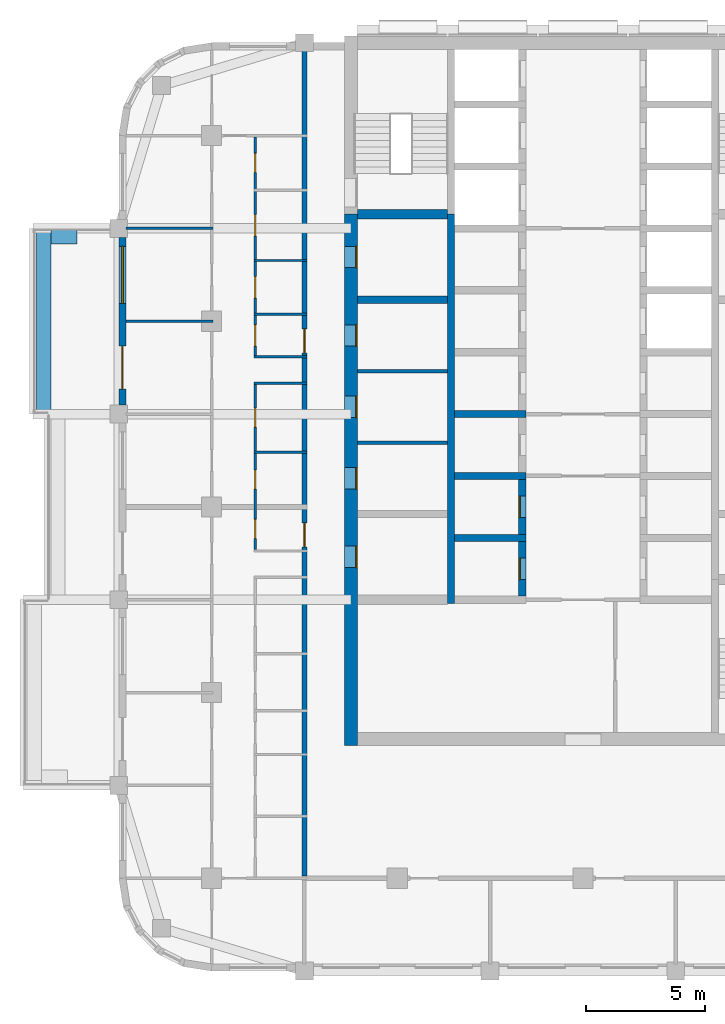
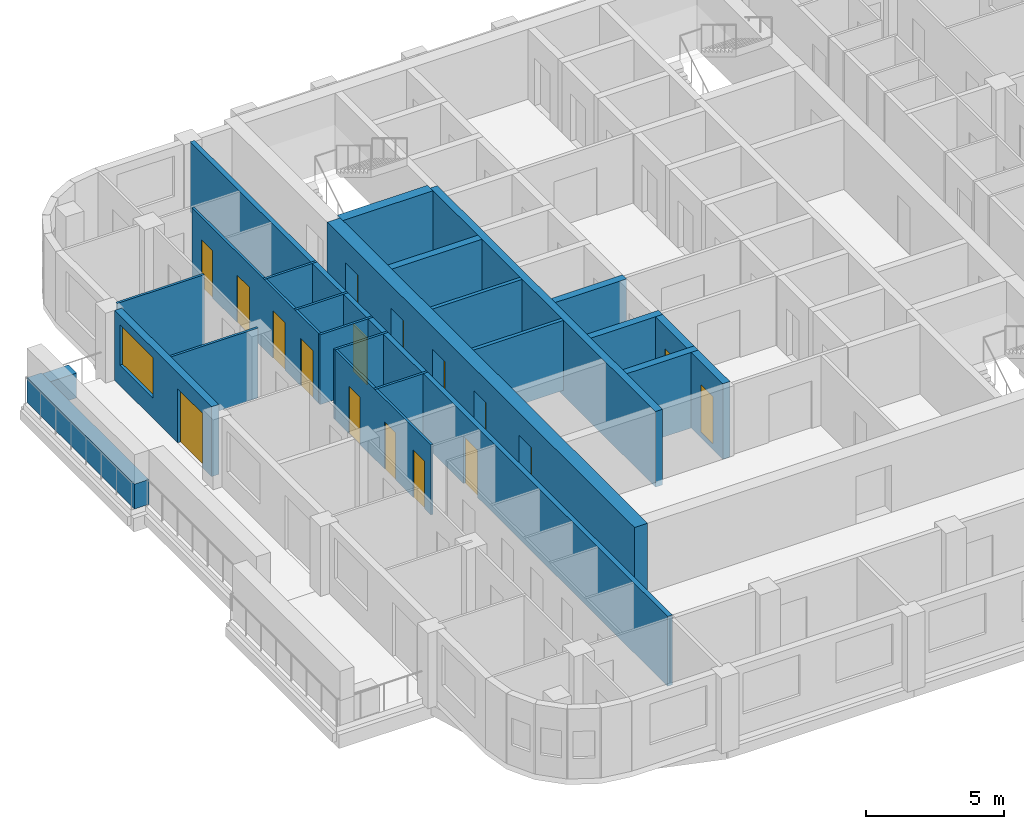
# One storey, part 4 of 13: 24 walls, 17 doors, 1 window, 18 openings.
"""IFC4 building model written with IfcOpenShell, lengths in metres."""

from ifc_helpers import new_model, si_unit, direction, frame, frame_2d, origin, place, context, subcontext, project, spatial, rectangle, extrude, material, layer, layer_set, type_object, element, fill, save


model = new_model("IFC4")

# Units and contexts
model_context = context("Model", 3, precision=1e-05, world=origin(), true_north=direction((0.0, 1.0)))
body_context = subcontext(model_context, "Body", "Model", "MODEL_VIEW")
ifc_project = project(units=[si_unit("LENGTHUNIT", "METRE"), si_unit("AREAUNIT", "SQUARE_METRE"), si_unit("VOLUMEUNIT", "CUBIC_METRE"), si_unit("PLANEANGLEUNIT", "RADIAN"), si_unit("MASSUNIT", "GRAM", prefix="KILO")], contexts=[model_context])

# Site, building, storey
site_placement = place(None, origin())
site = spatial("IfcSite", under=ifc_project, at=site_placement, CompositionType="ELEMENT")
building_placement = place(site_placement, origin())
building = spatial("IfcBuilding", under=site, at=building_placement, Name="Ludao Terraces", CompositionType="ELEMENT")
storey_placement = place(building_placement, frame((0.0, 0.0, 189.39990234375)))
storey = spatial("IfcBuildingStorey", under=building, at=storey_placement, Name="L51", CompositionType="ELEMENT", Elevation=189.39990234375)

# Wall, openings, doors
ifc_material_1 = material(Name="Concrete C60", Category="concrete")
ifc_layer_1 = layer(ifc_material_1, 0.550048828125)
ifc_layer_set_1 = layer_set([ifc_layer_1], Name="Core wall 550 C60")
wall_type_1 = type_object("IfcWallType", Name="Core wall 550 C60", PredefinedType="SOLIDWALL", material=ifc_layer_set_1)
wall_1_placement = place(storey_placement, frame((75.25, 54.97509765625, -0.25), z_axis=(0.0, 0.0, 1.0), x_axis=(0.0, 1.0, 0.0)))
wall_1 = element("IfcWall", 1, at=wall_1_placement, inside=storey, type_object=wall_type_1, Name="Core wall L51 outer-W", PredefinedType="SOLIDWALL", context=body_context, shape_type="SweptSolid", body=[
    extrude(rectangle(XDim=22.324951171875, YDim=0.550048828125, at=frame_2d((11.16259765625, 0.0))), origin(), (0.0, 0.0, 1.0), 3.35009765625),
])
opening_1_placement = place(wall_1_placement, frame((7.47509765625, 0.0, 0.25)))
opening_1 = element("IfcOpeningElement", 2, at=opening_1_placement, cuts=wall_1, Name="Opening R18-032", PredefinedType="OPENING", context=body_context, shape_type="SweptSolid", body=[
    extrude(rectangle(XDim=0.89990234375, YDim=2.10009765625, at=frame_2d((0.449951171875, 1.050048828125))), frame((0.0, 0.28515625, 0.0), z_axis=(0.0, -1.0, 0.0), x_axis=(1.0, 0.0, 0.0)), (0.0, 0.0, 1.0), 0.570068359375),
])
opening_2_placement = place(wall_1_placement, frame((10.77490234375, 0.0, 0.25)))
opening_2 = element("IfcOpeningElement", 3, at=opening_2_placement, cuts=wall_1, Name="Opening R18-042", PredefinedType="OPENING", context=body_context, shape_type="SweptSolid", body=[
    extrude(rectangle(XDim=0.89990234375, YDim=2.10009765625, at=frame_2d((0.449951171875, 1.050048828125))), frame((0.0, 0.28515625, 0.0), z_axis=(0.0, -1.0, 0.0), x_axis=(1.0, 0.0, 0.0)), (0.0, 0.0, 1.0), 0.570068359375),
])
opening_3_placement = place(wall_1_placement, frame((13.77490234375, 0.0, 0.25)))
opening_3 = element("IfcOpeningElement", 4, at=opening_3_placement, cuts=wall_1, Name="Opening R18-051", PredefinedType="OPENING", context=body_context, shape_type="SweptSolid", body=[
    extrude(rectangle(XDim=0.89990234375, YDim=2.10009765625, at=frame_2d((0.449951171875, 1.050048828125))), frame((0.0, 0.28515625, 0.0), z_axis=(0.0, -1.0, 0.0), x_axis=(1.0, 0.0, 0.0)), (0.0, 0.0, 1.0), 0.570068359375),
])
opening_4_placement = place(wall_1_placement, frame((16.77490234375, 0.0, 0.25)))
opening_4 = element("IfcOpeningElement", 5, at=opening_4_placement, cuts=wall_1, Name="Opening R18-060", PredefinedType="OPENING", context=body_context, shape_type="SweptSolid", body=[
    extrude(rectangle(XDim=0.89990234375, YDim=2.10009765625, at=frame_2d((0.449951171875, 1.050048828125))), frame((0.0, 0.28515625, 0.0), z_axis=(0.0, -1.0, 0.0), x_axis=(1.0, 0.0, 0.0)), (0.0, 0.0, 1.0), 0.570068359375),
])
opening_5_placement = place(wall_1_placement, frame((20.074951171875, 0.0, 0.25)))
opening_5 = element("IfcOpeningElement", 6, at=opening_5_placement, cuts=wall_1, Name="Opening R18-070", PredefinedType="OPENING", context=body_context, shape_type="SweptSolid", body=[
    extrude(rectangle(XDim=0.89990234375, YDim=2.10009765625, at=frame_2d((0.449951171875, 1.050048828125))), frame((0.0, 0.28515625, 0.0), z_axis=(0.0, -1.0, 0.0), x_axis=(1.0, 0.0, 0.0)), (0.0, 0.0, 1.0), 0.570068359375),
])
ifc_material_2 = material(Name="Steel Q235", Category="steel")
door_type_1 = type_object("IfcDoorType", Name="INT Riser door 900", OperationType="SINGLE_SWING_LEFT", PredefinedType="DOOR", material=ifc_material_2)
door_1_placement = place(opening_1_placement, origin())
door_1 = element("IfcDoor", 7, at=door_1_placement, inside=storey, type_object=door_type_1, Name="DOOR 032", OperationType="SINGLE_SWING_RIGHT", OverallHeight=2.10009765625, OverallWidth=0.89990234375, PredefinedType="DOOR", context=body_context, shape_type="SweptSolid", body=[
    extrude(rectangle(XDim=0.89990234375, YDim=2.10009765625, at=frame_2d((0.449951171875, 1.050048828125))), frame((0.0, -0.2099609375, 0.0), z_axis=(0.0, -1.0, 0.0), x_axis=(1.0, 0.0, 0.0)), (0.0, 0.0, 1.0), 0.050048828125),
])
fill(opening_1, door_1)
door_2_placement = place(opening_5_placement, origin())
door_2 = element("IfcDoor", 8, at=door_2_placement, inside=storey, type_object=door_type_1, Name="DOOR 070", OperationType="SINGLE_SWING_LEFT", OverallHeight=2.10009765625, OverallWidth=0.89990234375, PredefinedType="DOOR", context=body_context, shape_type="SweptSolid", body=[
    extrude(rectangle(XDim=0.89990234375, YDim=2.10009765625, at=frame_2d((0.449951171875, 1.050048828125))), frame((0.0, -0.2099609375, 0.0), z_axis=(0.0, -1.0, 0.0), x_axis=(1.0, 0.0, 0.0)), (0.0, 0.0, 1.0), 0.050048828125),
])
fill(opening_5, door_2)
ifc_material_3 = material(Name="Timber door leaf", Category="wood")
door_type_2 = type_object("IfcDoorType", Name="INT Room door 900", OperationType="SINGLE_SWING_LEFT", PredefinedType="DOOR", material=ifc_material_3)
door_3_placement = place(opening_2_placement, origin())
door_3 = element("IfcDoor", 9, at=door_3_placement, inside=storey, type_object=door_type_2, Name="DOOR 042", OperationType="SINGLE_SWING_RIGHT", OverallHeight=2.10009765625, OverallWidth=0.89990234375, PredefinedType="DOOR", context=body_context, shape_type="SweptSolid", body=[
    extrude(rectangle(XDim=0.89990234375, YDim=2.10009765625, at=frame_2d((0.449951171875, 1.050048828125))), frame((0.0, -0.2099609375, 0.0), z_axis=(0.0, -1.0, 0.0), x_axis=(1.0, 0.0, 0.0)), (0.0, 0.0, 1.0), 0.050048828125),
])
fill(opening_2, door_3)
door_4_placement = place(opening_3_placement, origin())
door_4 = element("IfcDoor", 10, at=door_4_placement, inside=storey, type_object=door_type_2, Name="DOOR 051", OperationType="SINGLE_SWING_LEFT", OverallHeight=2.10009765625, OverallWidth=0.89990234375, PredefinedType="DOOR", context=body_context, shape_type="SweptSolid", body=[
    extrude(rectangle(XDim=0.89990234375, YDim=2.10009765625, at=frame_2d((0.449951171875, 1.050048828125))), frame((0.0, -0.2099609375, 0.0), z_axis=(0.0, -1.0, 0.0), x_axis=(1.0, 0.0, 0.0)), (0.0, 0.0, 1.0), 0.050048828125),
])
fill(opening_3, door_4)
door_5_placement = place(opening_4_placement, origin())
door_5 = element("IfcDoor", 11, at=door_5_placement, inside=storey, type_object=door_type_2, Name="DOOR 060", OperationType="SINGLE_SWING_LEFT", OverallHeight=2.10009765625, OverallWidth=0.89990234375, PredefinedType="DOOR", context=body_context, shape_type="SweptSolid", body=[
    extrude(rectangle(XDim=0.89990234375, YDim=2.10009765625, at=frame_2d((0.449951171875, 1.050048828125))), frame((0.0, -0.2099609375, 0.0), z_axis=(0.0, -1.0, 0.0), x_axis=(1.0, 0.0, 0.0)), (0.0, 0.0, 1.0), 0.050048828125),
])
fill(opening_4, door_5)

# Walls
ifc_material_4 = material(Name="Concrete C40", Category="concrete")
ifc_layer_2 = layer(ifc_material_4, 0.60009765625)
ifc_layer_set_2 = layer_set([ifc_layer_2], Name="ENV Planter trough 600")
wall_type_2 = type_object("IfcWallType", Name="ENV Planter trough 600", PredefinedType="USERDEFINED", material=ifc_layer_set_2)
wall_2_placement = place(storey_placement, frame((62.35009765625, 68.89990234375, 0.0), z_axis=(0.0, 0.0, 1.0), x_axis=(0.0, 1.0, 0.0)))
element("IfcWall", 12, at=wall_2_placement, inside=storey, type_object=wall_type_2, Name="PL-L51-W3", ObjectType="PLANTER", PredefinedType="USERDEFINED", context=body_context, shape_type="SweptSolid", body=[
    extrude(rectangle(XDim=7.800048828125, YDim=0.60009765625, at=frame_2d((3.89990234375, 0.0))), origin(), (0.0, 0.0, 1.0), 1.10009765625),
])
wall_3_placement = place(storey_placement, frame((62.64990234375, 76.35009765625, 0.0), z_axis=(0.0, 0.0, 1.0), x_axis=(1.0, 0.0, 0.0)))
element("IfcWall", 13, at=wall_3_placement, inside=storey, type_object=wall_type_2, Name="PL-L51-W3-SB", ObjectType="PLANTER", PredefinedType="USERDEFINED", context=body_context, shape_type="SweptSolid", body=[
    extrude(rectangle(XDim=1.10009765625, YDim=0.60009765625, at=frame_2d((0.550048828125, 0.0))), origin(), (0.0, 0.0, 1.0), 1.10009765625),
])

# Wall, openings, door, window
ifc_material_5 = material(Name="Granite cladding", Category="masonry")
ifc_layer_3 = layer(ifc_material_5, 0.0400390625, Category="stone")
ifc_material_6 = material(Name="Mineral wool")
ifc_layer_4 = layer(ifc_material_6, 0.06005859375)
ifc_layer_5 = layer(ifc_material_4, 0.199951171875, Category="concrete")
ifc_layer_set_3 = layer_set([ifc_layer_3, ifc_layer_4, ifc_layer_5], Name="ENV Stone-clad wall 300")
wall_type_3 = type_object("IfcWallType", Name="ENV Stone-clad wall 300", PredefinedType="SOLIDWALL", material=ifc_layer_set_3)
wall_4_placement = place(storey_placement, frame((65.64990234375, 69.27490234375, 0.0), z_axis=(0.0, 0.0, 1.0), x_axis=(0.0, 1.0, 0.0)))
wall_4 = element("IfcWall", 14, at=wall_4_placement, inside=storey, type_object=wall_type_3, Name="EW-L51-W4", PredefinedType="SOLIDWALL", context=body_context, shape_type="SweptSolid", body=[
    extrude(rectangle(XDim=7.050048828125, YDim=0.300048828125, at=frame_2d((3.52490234375, 0.0))), origin(), (0.0, 0.0, 1.0), 3.10009765625),
])
opening_6_placement = place(wall_4_placement, frame((0.675048828125, 0.0, 0.0)))
opening_6 = element("IfcOpeningElement", 15, at=opening_6_placement, cuts=wall_4, Name="Opening BD", PredefinedType="OPENING", context=body_context, shape_type="SweptSolid", body=[
    extrude(rectangle(XDim=1.800048828125, YDim=2.39990234375, at=frame_2d((0.89990234375, 1.199951171875))), frame((0.0, 0.16015625, 0.0), z_axis=(0.0, -1.0, 0.0), x_axis=(1.0, 0.0, 0.0)), (0.0, 0.0, 1.0), 0.320068359375),
])
opening_7_placement = place(wall_4_placement, frame((4.27490234375, 0.0, 0.89990234375)))
opening_7 = element("IfcOpeningElement", 16, at=opening_7_placement, cuts=wall_4, Name="Opening W1", PredefinedType="OPENING", context=body_context, shape_type="SweptSolid", body=[
    extrude(rectangle(XDim=2.39990234375, YDim=1.800048828125, at=frame_2d((1.199951171875, 0.89990234375))), frame((0.0, 0.16015625, 0.0), z_axis=(0.0, -1.0, 0.0), x_axis=(1.0, 0.0, 0.0)), (0.0, 0.0, 1.0), 0.320068359375),
])
ifc_material_7 = material(Name="Aluminium glazed door", Category="aluminium")
ifc_layer_6 = layer(ifc_material_7, 0.06005859375)
ifc_layer_set_4 = layer_set([ifc_layer_6], Name="ENV Balcony door BD 1800x2400")
door_type_3 = type_object("IfcDoorType", Name="ENV Balcony door BD 1800x2400", OperationType="DOUBLE_DOOR_SINGLE_SWING", PredefinedType="DOOR", material=ifc_layer_set_4)
door_6_placement = place(opening_6_placement, origin())
door_6 = element("IfcDoor", 17, at=door_6_placement, inside=storey, type_object=door_type_3, Name="BD-L51-W4-1", OperationType="DOUBLE_DOOR_SINGLE_SWING", OverallHeight=2.39990234375, OverallWidth=1.800048828125, PredefinedType="DOOR", context=body_context, shape_type="SweptSolid", body=[
    extrude(rectangle(XDim=1.800048828125, YDim=2.39990234375, at=frame_2d((0.89990234375, 1.199951171875))), frame((0.0, 0.02490234375, 0.0), z_axis=(0.0, -1.0, 0.0), x_axis=(1.0, 0.0, 0.0)), (0.0, 0.0, 1.0), 0.050048828125),
])
fill(opening_6, door_6)
ifc_material_8 = material(Name="Clear glass in aluminium frame", Category="aluminium")
ifc_layer_7 = layer(ifc_material_8, 0.06005859375)
ifc_layer_set_5 = layer_set([ifc_layer_7], Name="ENV Window W1 2400x1800")
window_type = type_object("IfcWindowType", Name="ENV Window W1 2400x1800", PartitioningType="DOUBLE_PANEL_VERTICAL", PredefinedType="WINDOW", material=ifc_layer_set_5)
window_placement = place(opening_7_placement, origin())
window = element("IfcWindow", 18, at=window_placement, inside=storey, type_object=window_type, Name="W-L51-W4-2", OverallHeight=1.800048828125, OverallWidth=2.39990234375, PartitioningType="DOUBLE_PANEL_VERTICAL", PredefinedType="WINDOW", context=body_context, shape_type="SweptSolid", body=[
    extrude(rectangle(XDim=2.39990234375, YDim=1.800048828125, at=frame_2d((1.199951171875, 0.89990234375))), frame((0.0, 0.030029296875, 0.0), z_axis=(0.0, -1.0, 0.0), x_axis=(1.0, 0.0, 0.0)), (0.0, 0.0, 1.0), 0.06005859375),
])
fill(opening_7, window)

# Walls
ifc_material_9 = material(Name="Fire-rated gypsum plasterboard", Category="gypsum")
ifc_layer_8 = layer(ifc_material_9, 0.012451171875, Category="gypsum")
ifc_layer_9 = layer(ifc_material_6, 0.10009765625, Name="insulation")
ifc_layer_10 = layer(ifc_material_2, 0.02490234375, Name="stud")
ifc_layer_11 = layer(ifc_material_9, 0.012451171875, Category="gypsum")
ifc_layer_set_6 = layer_set([ifc_layer_8, ifc_layer_9, ifc_layer_10, ifc_layer_11], Name="INT Core partition 150")
wall_type_4 = type_object("IfcWallType", Name="INT Core partition 150", PredefinedType="PARTITIONING", material=ifc_layer_set_6)
for number, where, z_axis, x_axis, name in (
    (19, (75.525146484375, 67.699951171875, 0.0), (0.0, 0.0, 1.0), (1.0, 0.0, 0.0), "PW-L51-PW026"),
    (20, (75.525146484375, 70.699951171875, 0.0), (0.0, 0.0, 1.0), (1.0, 0.0, 0.0), "PW-L51-PW033"),
):
    element("IfcWall", number, at=place(storey_placement, frame(where, z_axis=z_axis, x_axis=x_axis)), inside=storey, type_object=wall_type_4, Name=name, PredefinedType="PARTITIONING", context=body_context, shape_type="SweptSolid", body=[
        extrude(rectangle(XDim=3.77490234375, YDim=0.14990234375, at=frame_2d((1.887451171875, 0.0))), origin(), (0.0, 0.0, 1.0), 3.10009765625),
    ])

# Wall, openings, doors
ifc_material_10 = material(Name="Autoclaved aerated concrete block B06 A3.5", Category="concrete")
ifc_layer_12 = layer(ifc_material_10, 0.199951171875)
ifc_layer_set_7 = layer_set([ifc_layer_12], Name="INT Entrance wall 200")
wall_type_5 = type_object("IfcWallType", Name="INT Entrance wall 200", PredefinedType="PARTITIONING", material=ifc_layer_set_7)
wall_5_placement = place(storey_placement, frame((73.300048828125, 49.5, 0.0), z_axis=(0.0, 0.0, 1.0), x_axis=(0.0, 1.0, 0.0)))
wall_5 = element("IfcWall", 21, at=wall_5_placement, inside=storey, type_object=wall_type_5, Name="PW-L51-PW054", PredefinedType="PARTITIONING", context=body_context, shape_type="SweptSolid", body=[
    extrude(rectangle(XDim=34.7001953125, YDim=0.199951171875, at=frame_2d((17.35009765625, 0.0))), origin(), (0.0, 0.0, 1.0), 3.10009765625),
])
opening_8_placement = place(wall_5_placement, frame((13.8251953125, 0.0, 0.0)))
opening_8 = element("IfcOpeningElement", 22, at=opening_8_placement, cuts=wall_5, Name="Opening R18-035", PredefinedType="OPENING", context=body_context, shape_type="SweptSolid", body=[
    extrude(rectangle(XDim=1.0, YDim=2.10009765625, at=frame_2d((0.5, 1.050048828125))), frame((0.0, 0.10986328125, 0.0), z_axis=(0.0, -1.0, 0.0), x_axis=(1.0, 0.0, 0.0)), (0.0, 0.0, 1.0), 0.219970703125),
])
opening_9_placement = place(wall_5_placement, frame((21.97509765625, 0.0, 0.0)))
opening_9 = element("IfcOpeningElement", 23, at=opening_9_placement, cuts=wall_5, Name="Opening R18-058", PredefinedType="OPENING", context=body_context, shape_type="SweptSolid", body=[
    extrude(rectangle(XDim=1.0, YDim=2.10009765625, at=frame_2d((0.5, 1.050048828125))), frame((0.0, 0.10986328125, 0.0), z_axis=(0.0, -1.0, 0.0), x_axis=(1.0, 0.0, 0.0)), (0.0, 0.0, 1.0), 0.219970703125),
])
door_type_4 = type_object("IfcDoorType", Name="INT Flat entrance door 1000", OperationType="SINGLE_SWING_LEFT", PredefinedType="DOOR", material=ifc_material_2)
door_7_placement = place(opening_8_placement, origin())
door_7 = element("IfcDoor", 24, at=door_7_placement, inside=storey, type_object=door_type_4, Name="DOOR 035", OperationType="SINGLE_SWING_RIGHT", OverallHeight=2.10009765625, OverallWidth=1.0, PredefinedType="DOOR", context=body_context, shape_type="SweptSolid", body=[
    extrude(rectangle(XDim=1.0, YDim=2.10009765625, at=frame_2d((0.5, 1.050048828125))), frame((0.0, 0.02490234375, 0.0), z_axis=(0.0, -1.0, 0.0), x_axis=(1.0, 0.0, 0.0)), (0.0, 0.0, 1.0), 0.050048828125),
])
fill(opening_8, door_7)
door_8_placement = place(opening_9_placement, origin())
door_8 = element("IfcDoor", 25, at=door_8_placement, inside=storey, type_object=door_type_4, Name="DOOR 058", OperationType="SINGLE_SWING_RIGHT", OverallHeight=2.10009765625, OverallWidth=1.0, PredefinedType="DOOR", context=body_context, shape_type="SweptSolid", body=[
    extrude(rectangle(XDim=1.0, YDim=2.10009765625, at=frame_2d((0.5, 1.050048828125))), frame((0.0, 0.02490234375, 0.0), z_axis=(0.0, -1.0, 0.0), x_axis=(1.0, 0.0, 0.0)), (0.0, 0.0, 1.0), 0.050048828125),
])
fill(opening_9, door_8)

# Walls
ifc_material_11 = material(Name="Gypsum plasterboard", Category="gypsum")
ifc_layer_13 = layer(ifc_material_11, 0.012451171875, Category="gypsum")
ifc_layer_14 = layer(ifc_material_6, 0.06005859375, Name="insulation")
ifc_layer_15 = layer(ifc_material_2, 0.014892578125, Name="stud")
ifc_layer_16 = layer(ifc_material_11, 0.012451171875, Category="gypsum")
ifc_layer_set_8 = layer_set([ifc_layer_13, ifc_layer_14, ifc_layer_15, ifc_layer_16], Name="INT Partition 100")
wall_type_6 = type_object("IfcWallType", Name="INT Partition 100", PredefinedType="PARTITIONING", material=ifc_layer_set_8)
for number, where, z_axis, x_axis, name in (
    (26, (71.18017578125, 67.300048828125, 0.0), (0.0, 0.0, 1.0), (1.0, 0.0, 0.0), "PW-L51-PW025"),
    (27, (71.18017578125, 70.199951171875, 0.0), (0.0, 0.0, 1.0), (1.0, 0.0, 0.0), "PW-L51-PW032"),
    (28, (71.18017578125, 71.300048828125, 0.0), (0.0, 0.0, 1.0), (1.0, 0.0, 0.0), "PW-L51-PW034"),
):
    element("IfcWall", number, at=place(storey_placement, frame(where, z_axis=z_axis, x_axis=x_axis)), inside=storey, type_object=wall_type_6, Name=name, PredefinedType="PARTITIONING", context=body_context, shape_type="SweptSolid", body=[
        extrude(rectangle(XDim=2.219970703125, YDim=0.10009765625, at=frame_2d((1.10986328125, 0.0))), origin(), (0.0, 0.0, 1.0), 3.10009765625),
    ])
wall_6_placement = place(storey_placement, frame((65.800048828125, 72.800048828125, 0.0), z_axis=(0.0, 0.0, 1.0), x_axis=(1.0, 0.0, 0.0)))
element("IfcWall", 29, at=wall_6_placement, inside=storey, type_object=wall_type_6, Name="PW-L51-PW035", PredefinedType="PARTITIONING", context=body_context, shape_type="SweptSolid", body=[
    extrude(rectangle(XDim=3.650146484375, YDim=0.10009765625, at=frame_2d((1.8251953125, 0.0))), origin(), (0.0, 0.0, 1.0), 3.10009765625),
])
for number, where, z_axis, x_axis, name in (
    (30, (71.18017578125, 73.10009765625, 0.0), (0.0, 0.0, 1.0), (1.0, 0.0, 0.0), "PW-L51-PW037"),
    (31, (71.18017578125, 75.35009765625, 0.0), (0.0, 0.0, 1.0), (1.0, 0.0, 0.0), "PW-L51-PW039"),
):
    element("IfcWall", number, at=place(storey_placement, frame(where, z_axis=z_axis, x_axis=x_axis)), inside=storey, type_object=wall_type_6, Name=name, PredefinedType="PARTITIONING", context=body_context, shape_type="SweptSolid", body=[
        extrude(rectangle(XDim=2.219970703125, YDim=0.10009765625, at=frame_2d((1.10986328125, 0.0))), origin(), (0.0, 0.0, 1.0), 3.10009765625),
    ])
wall_7_placement = place(storey_placement, frame((65.800048828125, 76.699951171875, 0.0), z_axis=(0.0, 0.0, 1.0), x_axis=(1.0, 0.0, 0.0)))
element("IfcWall", 32, at=wall_7_placement, inside=storey, type_object=wall_type_6, Name="PW-L51-PW041", PredefinedType="PARTITIONING", context=body_context, shape_type="SweptSolid", body=[
    extrude(rectangle(XDim=3.650146484375, YDim=0.10009765625, at=frame_2d((1.8251953125, 0.0))), origin(), (0.0, 0.0, 1.0), 3.10009765625),
])

# Wall, openings, doors
wall_8_placement = place(storey_placement, frame((71.22998046875, 63.2001953125, 0.0), z_axis=(0.0, 0.0, 1.0), x_axis=(0.0, 1.0, 0.0)))
wall_8 = element("IfcWall", 33, at=wall_8_placement, inside=storey, type_object=wall_type_6, Name="PW-L51-PW051", PredefinedType="PARTITIONING", context=body_context, shape_type="SweptSolid", body=[
    extrude(rectangle(XDim=6.949951171875, YDim=0.10009765625, at=frame_2d((3.47509765625, 0.0))), origin(), (0.0, 0.0, 1.0), 3.10009765625),
])
opening_10_placement = place(wall_8_placement, frame((0.474853515625, 0.0, 0.0)))
opening_10 = element("IfcOpeningElement", 34, at=opening_10_placement, cuts=wall_8, Name="Opening R18-036", PredefinedType="OPENING", context=body_context, shape_type="SweptSolid", body=[
    extrude(rectangle(XDim=0.800048828125, YDim=2.10009765625, at=frame_2d((0.39990234375, 1.050048828125))), frame((0.0, 0.06005859375, 0.0), z_axis=(0.0, -1.0, 0.0), x_axis=(1.0, 0.0, 0.0)), (0.0, 0.0, 1.0), 0.1201171875),
])
opening_11_placement = place(wall_8_placement, frame((2.5498046875, 0.0, 0.0)))
opening_11 = element("IfcOpeningElement", 35, at=opening_11_placement, cuts=wall_8, Name="Opening R18-041", PredefinedType="OPENING", context=body_context, shape_type="SweptSolid", body=[
    extrude(rectangle(XDim=0.800048828125, YDim=2.10009765625, at=frame_2d((0.39990234375, 1.050048828125))), frame((0.0, 0.06005859375, 0.0), z_axis=(0.0, -1.0, 0.0), x_axis=(1.0, 0.0, 0.0)), (0.0, 0.0, 1.0), 0.1201171875),
])
opening_12_placement = place(wall_8_placement, frame((5.14990234375, 0.0, 0.0)))
opening_12 = element("IfcOpeningElement", 36, at=opening_12_placement, cuts=wall_8, Name="Opening R18-048", PredefinedType="OPENING", context=body_context, shape_type="SweptSolid", body=[
    extrude(rectangle(XDim=0.800048828125, YDim=2.10009765625, at=frame_2d((0.39990234375, 1.050048828125))), frame((0.0, 0.06005859375, 0.0), z_axis=(0.0, -1.0, 0.0), x_axis=(1.0, 0.0, 0.0)), (0.0, 0.0, 1.0), 0.1201171875),
])
door_type_5 = type_object("IfcDoorType", Name="INT Store door 800", OperationType="SINGLE_SWING_LEFT", PredefinedType="DOOR", material=ifc_material_3)
door_9_placement = place(opening_10_placement, origin())
door_9 = element("IfcDoor", 37, at=door_9_placement, inside=storey, type_object=door_type_5, Name="DOOR 036", OperationType="SINGLE_SWING_RIGHT", OverallHeight=2.10009765625, OverallWidth=0.800048828125, PredefinedType="DOOR", context=body_context, shape_type="SweptSolid", body=[
    extrude(rectangle(XDim=0.800048828125, YDim=2.10009765625, at=frame_2d((0.39990234375, 1.050048828125))), frame((0.0, 0.02490234375, 0.0), z_axis=(0.0, -1.0, 0.0), x_axis=(1.0, 0.0, 0.0)), (0.0, 0.0, 1.0), 0.050048828125),
])
fill(opening_10, door_9)
door_10_placement = place(opening_11_placement, origin())
door_10 = element("IfcDoor", 38, at=door_10_placement, inside=storey, type_object=door_type_5, Name="DOOR 041", OperationType="SINGLE_SWING_RIGHT", OverallHeight=2.10009765625, OverallWidth=0.800048828125, PredefinedType="DOOR", context=body_context, shape_type="SweptSolid", body=[
    extrude(rectangle(XDim=0.800048828125, YDim=2.10009765625, at=frame_2d((0.39990234375, 1.050048828125))), frame((0.0, 0.02490234375, 0.0), z_axis=(0.0, -1.0, 0.0), x_axis=(1.0, 0.0, 0.0)), (0.0, 0.0, 1.0), 0.050048828125),
])
fill(opening_11, door_10)
door_11_placement = place(opening_12_placement, origin())
door_11 = element("IfcDoor", 39, at=door_11_placement, inside=storey, type_object=door_type_5, Name="DOOR 048", OperationType="SINGLE_SWING_RIGHT", OverallHeight=2.10009765625, OverallWidth=0.800048828125, PredefinedType="DOOR", context=body_context, shape_type="SweptSolid", body=[
    extrude(rectangle(XDim=0.800048828125, YDim=2.10009765625, at=frame_2d((0.39990234375, 1.050048828125))), frame((0.0, 0.02490234375, 0.0), z_axis=(0.0, -1.0, 0.0), x_axis=(1.0, 0.0, 0.0)), (0.0, 0.0, 1.0), 0.050048828125),
])
fill(opening_12, door_11)

wall_9_placement = place(storey_placement, frame((71.22998046875, 71.35009765625, 0.0), z_axis=(0.0, 0.0, 1.0), x_axis=(0.0, 1.0, 0.0)))
wall_9 = element("IfcWall", 40, at=wall_9_placement, inside=storey, type_object=wall_type_6, Name="PW-L51-PW052", PredefinedType="PARTITIONING", context=body_context, shape_type="SweptSolid", body=[
    extrude(rectangle(XDim=9.199951171875, YDim=0.10009765625, at=frame_2d((4.60009765625, 0.0))), origin(), (0.0, 0.0, 1.0), 3.10009765625),
])
opening_13_placement = place(wall_9_placement, frame((0.39990234375, 0.0, 0.0)))
opening_13 = element("IfcOpeningElement", 41, at=opening_13_placement, cuts=wall_9, Name="Opening R18-059", PredefinedType="OPENING", context=body_context, shape_type="SweptSolid", body=[
    extrude(rectangle(XDim=0.89990234375, YDim=2.10009765625, at=frame_2d((0.449951171875, 1.050048828125))), frame((0.0, 0.06005859375, 0.0), z_axis=(0.0, -1.0, 0.0), x_axis=(1.0, 0.0, 0.0)), (0.0, 0.0, 1.0), 0.1201171875),
])
opening_14_placement = place(wall_9_placement, frame((2.425048828125, 0.0, 0.0)))
opening_14 = element("IfcOpeningElement", 42, at=opening_14_placement, cuts=wall_9, Name="Opening R18-064", PredefinedType="OPENING", context=body_context, shape_type="SweptSolid", body=[
    extrude(rectangle(XDim=0.89990234375, YDim=2.10009765625, at=frame_2d((0.449951171875, 1.050048828125))), frame((0.0, 0.06005859375, 0.0), z_axis=(0.0, -1.0, 0.0), x_axis=(1.0, 0.0, 0.0)), (0.0, 0.0, 1.0), 0.1201171875),
])
opening_15_placement = place(wall_9_placement, frame((5.02490234375, 0.0, 0.0)))
opening_15 = element("IfcOpeningElement", 43, at=opening_15_placement, cuts=wall_9, Name="Opening R18-074", PredefinedType="OPENING", context=body_context, shape_type="SweptSolid", body=[
    extrude(rectangle(XDim=0.89990234375, YDim=2.10009765625, at=frame_2d((0.449951171875, 1.050048828125))), frame((0.0, 0.06005859375, 0.0), z_axis=(0.0, -1.0, 0.0), x_axis=(1.0, 0.0, 0.0)), (0.0, 0.0, 1.0), 0.1201171875),
])
opening_16_placement = place(wall_9_placement, frame((7.699951171875, 0.0, 0.0)))
opening_16 = element("IfcOpeningElement", 44, at=opening_16_placement, cuts=wall_9, Name="Opening R18-082", PredefinedType="OPENING", context=body_context, shape_type="SweptSolid", body=[
    extrude(rectangle(XDim=0.800048828125, YDim=2.10009765625, at=frame_2d((0.39990234375, 1.050048828125))), frame((0.0, 0.06005859375, 0.0), z_axis=(0.0, -1.0, 0.0), x_axis=(1.0, 0.0, 0.0)), (0.0, 0.0, 1.0), 0.1201171875),
])
door_type_6 = type_object("IfcDoorType", Name="INT Bathroom door 900", OperationType="SINGLE_SWING_LEFT", PredefinedType="DOOR", material=ifc_material_3)
door_12_placement = place(opening_13_placement, origin())
door_12 = element("IfcDoor", 45, at=door_12_placement, inside=storey, type_object=door_type_6, Name="DOOR 059", OperationType="SINGLE_SWING_LEFT", OverallHeight=2.10009765625, OverallWidth=0.89990234375, PredefinedType="DOOR", context=body_context, shape_type="SweptSolid", body=[
    extrude(rectangle(XDim=0.89990234375, YDim=2.10009765625, at=frame_2d((0.449951171875, 1.050048828125))), frame((0.0, 0.02490234375, 0.0), z_axis=(0.0, -1.0, 0.0), x_axis=(1.0, 0.0, 0.0)), (0.0, 0.0, 1.0), 0.050048828125),
])
fill(opening_13, door_12)
door_13_placement = place(opening_14_placement, origin())
door_13 = element("IfcDoor", 46, at=door_13_placement, inside=storey, type_object=door_type_6, Name="DOOR 064", OperationType="SINGLE_SWING_RIGHT", OverallHeight=2.10009765625, OverallWidth=0.89990234375, PredefinedType="DOOR", context=body_context, shape_type="SweptSolid", body=[
    extrude(rectangle(XDim=0.89990234375, YDim=2.10009765625, at=frame_2d((0.449951171875, 1.050048828125))), frame((0.0, 0.02490234375, 0.0), z_axis=(0.0, -1.0, 0.0), x_axis=(1.0, 0.0, 0.0)), (0.0, 0.0, 1.0), 0.050048828125),
])
fill(opening_14, door_13)
door_14_placement = place(opening_15_placement, origin())
door_14 = element("IfcDoor", 47, at=door_14_placement, inside=storey, type_object=door_type_2, Name="DOOR 074", OperationType="SINGLE_SWING_LEFT", OverallHeight=2.10009765625, OverallWidth=0.89990234375, PredefinedType="DOOR", context=body_context, shape_type="SweptSolid", body=[
    extrude(rectangle(XDim=0.89990234375, YDim=2.10009765625, at=frame_2d((0.449951171875, 1.050048828125))), frame((0.0, 0.02490234375, 0.0), z_axis=(0.0, -1.0, 0.0), x_axis=(1.0, 0.0, 0.0)), (0.0, 0.0, 1.0), 0.050048828125),
])
fill(opening_15, door_14)
door_15_placement = place(opening_16_placement, origin())
door_15 = element("IfcDoor", 48, at=door_15_placement, inside=storey, type_object=door_type_5, Name="DOOR 082", OperationType="SINGLE_SWING_LEFT", OverallHeight=2.10009765625, OverallWidth=0.800048828125, PredefinedType="DOOR", context=body_context, shape_type="SweptSolid", body=[
    extrude(rectangle(XDim=0.800048828125, YDim=2.10009765625, at=frame_2d((0.39990234375, 1.050048828125))), frame((0.0, 0.02490234375, 0.0), z_axis=(0.0, -1.0, 0.0), x_axis=(1.0, 0.0, 0.0)), (0.0, 0.0, 1.0), 0.050048828125),
])
fill(opening_16, door_15)

# Wall
ifc_material_12 = material(Name="Concrete C55", Category="concrete")
ifc_layer_17 = layer(ifc_material_12, 0.300048828125)
ifc_layer_set_9 = layer_set([ifc_layer_17], Name="Shaft wall 300 C55")
wall_type_7 = type_object("IfcWallType", Name="Shaft wall 300 C55", PredefinedType="SOLIDWALL", material=ifc_layer_set_9)
wall_10_placement = place(storey_placement, frame((79.449951171875, 60.949951171875, -0.25), z_axis=(0.0, 0.0, 1.0), x_axis=(0.0, 1.0, 0.0)))
element("IfcWall", 49, at=wall_10_placement, inside=storey, type_object=wall_type_7, Name="Core wall L51 back-W", PredefinedType="SOLIDWALL", context=body_context, shape_type="SweptSolid", body=[
    extrude(rectangle(XDim=16.35009765625, YDim=0.300048828125, at=frame_2d((8.175048828125, 0.0))), origin(), (0.0, 0.0, 1.0), 3.35009765625),
])

# Wall, opening, door
wall_11_placement = place(storey_placement, frame((82.449951171875, 61.25, -0.25), z_axis=(0.0, 0.0, 1.0), x_axis=(0.0, 1.0, 0.0)))
wall_11 = element("IfcWall", 50, at=wall_11_placement, inside=storey, type_object=wall_type_7, Name="Core wall L51 front-W1", PredefinedType="SOLIDWALL", context=body_context, shape_type="SweptSolid", body=[
    extrude(rectangle(XDim=2.300048828125, YDim=0.300048828125, at=frame_2d((1.14990234375, 0.0))), origin(), (0.0, 0.0, 1.0), 3.35009765625),
])
opening_17_placement = place(wall_11_placement, frame((0.699951171875, 0.0, 0.25)))
opening_17 = element("IfcOpeningElement", 51, at=opening_17_placement, cuts=wall_11, Name="Opening R18-029", PredefinedType="OPENING", context=body_context, shape_type="SweptSolid", body=[
    extrude(rectangle(XDim=0.89990234375, YDim=2.10009765625, at=frame_2d((0.449951171875, 1.050048828125))), frame((0.0, 0.16015625, 0.0), z_axis=(0.0, -1.0, 0.0), x_axis=(1.0, 0.0, 0.0)), (0.0, 0.0, 1.0), 0.320068359375),
])
door_16_placement = place(opening_17_placement, origin())
door_16 = element("IfcDoor", 52, at=door_16_placement, inside=storey, type_object=door_type_2, Name="DOOR 029", OperationType="SINGLE_SWING_RIGHT", OverallHeight=2.10009765625, OverallWidth=0.89990234375, PredefinedType="DOOR", context=body_context, shape_type="SweptSolid", body=[
    extrude(rectangle(XDim=0.89990234375, YDim=2.10009765625, at=frame_2d((0.449951171875, 1.050048828125))), frame((0.0, 0.13525390625, 0.0), z_axis=(0.0, -1.0, 0.0), x_axis=(1.0, 0.0, 0.0)), (0.0, 0.0, 1.0), 0.050048828125),
])
fill(opening_17, door_16)

# Wall
wall_12_placement = place(storey_placement, frame((79.60009765625, 63.699951171875, -0.25), z_axis=(0.0, 0.0, 1.0), x_axis=(1.0, 0.0, 0.0)))
element("IfcWall", 53, at=wall_12_placement, inside=storey, type_object=wall_type_7, Name="Core wall L51 div-W2", PredefinedType="SOLIDWALL", context=body_context, shape_type="SweptSolid", body=[
    extrude(rectangle(XDim=3.0, YDim=0.300048828125, at=frame_2d((1.5, 0.0))), origin(), (0.0, 0.0, 1.0), 3.35009765625),
])

# Wall, opening, door
wall_13_placement = place(storey_placement, frame((82.449951171875, 63.85009765625, -0.25), z_axis=(0.0, 0.0, 1.0), x_axis=(0.0, 1.0, 0.0)))
wall_13 = element("IfcWall", 54, at=wall_13_placement, inside=storey, type_object=wall_type_7, Name="Core wall L51 front-W2", PredefinedType="SOLIDWALL", context=body_context, shape_type="SweptSolid", body=[
    extrude(rectangle(XDim=2.2998046875, YDim=0.300048828125, at=frame_2d((1.14990234375, 0.0))), origin(), (0.0, 0.0, 1.0), 3.35009765625),
])
opening_18_placement = place(wall_13_placement, frame((0.699951171875, 0.0, 0.25)))
opening_18 = element("IfcOpeningElement", 55, at=opening_18_placement, cuts=wall_13, Name="Opening R18-037", PredefinedType="OPENING", context=body_context, shape_type="SweptSolid", body=[
    extrude(rectangle(XDim=0.89990234375, YDim=2.10009765625, at=frame_2d((0.449951171875, 1.050048828125))), frame((0.0, 0.16015625, 0.0), z_axis=(0.0, -1.0, 0.0), x_axis=(1.0, 0.0, 0.0)), (0.0, 0.0, 1.0), 0.320068359375),
])
door_17_placement = place(opening_18_placement, origin())
door_17 = element("IfcDoor", 56, at=door_17_placement, inside=storey, type_object=door_type_2, Name="DOOR 037", OperationType="SINGLE_SWING_LEFT", OverallHeight=2.10009765625, OverallWidth=0.89990234375, PredefinedType="DOOR", context=body_context, shape_type="SweptSolid", body=[
    extrude(rectangle(XDim=0.89990234375, YDim=2.10009765625, at=frame_2d((0.449951171875, 1.050048828125))), frame((0.0, 0.13525390625, 0.0), z_axis=(0.0, -1.0, 0.0), x_axis=(1.0, 0.0, 0.0)), (0.0, 0.0, 1.0), 0.050048828125),
])
fill(opening_18, door_17)

# Walls
for number, where, z_axis, x_axis, name in (
    (57, (79.60009765625, 66.300048828125, -0.25), (0.0, 0.0, 1.0), (1.0, 0.0, 0.0), "Core wall L51 div-W3"),
    (58, (79.60009765625, 68.89990234375, -0.25), (0.0, 0.0, 1.0), (1.0, 0.0, 0.0), "Core wall L51 div-W4"),
):
    element("IfcWall", number, at=place(storey_placement, frame(where, z_axis=z_axis, x_axis=x_axis)), inside=storey, type_object=wall_type_7, Name=name, PredefinedType="SOLIDWALL", context=body_context, shape_type="SweptSolid", body=[
        extrude(rectangle(XDim=3.0, YDim=0.300048828125, at=frame_2d((1.5, 0.0))), origin(), (0.0, 0.0, 1.0), 3.35009765625),
    ])
wall_14_placement = place(storey_placement, frame((75.52490234375, 73.699951171875, -0.25), z_axis=(0.0, 0.0, 1.0), x_axis=(1.0, 0.0, 0.0)))
element("IfcWall", 59, at=wall_14_placement, inside=storey, type_object=wall_type_7, Name="Core wall L51 riser-b-W", PredefinedType="SOLIDWALL", context=body_context, shape_type="SweptSolid", body=[
    extrude(rectangle(XDim=3.775146484375, YDim=0.300048828125, at=frame_2d((1.8876953125, 0.0))), origin(), (0.0, 0.0, 1.0), 3.35009765625),
])
ifc_layer_18 = layer(ifc_material_12, 0.39990234375)
ifc_layer_set_10 = layer_set([ifc_layer_18], Name="Shaft wall 400 C55")
wall_type_8 = type_object("IfcWallType", Name="Shaft wall 400 C55", PredefinedType="SOLIDWALL", material=ifc_layer_set_10)
wall_15_placement = place(storey_placement, frame((75.52490234375, 77.300048828125, -0.25), z_axis=(0.0, 0.0, 1.0), x_axis=(1.0, 0.0, 0.0)))
element("IfcWall", 60, at=wall_15_placement, inside=storey, type_object=wall_type_8, Name="Core wall L51 stair-W", PredefinedType="SOLIDWALL", context=body_context, shape_type="SweptSolid", body=[
    extrude(rectangle(XDim=3.775146484375, YDim=0.39990234375, at=frame_2d((1.8876953125, 0.0))), origin(), (0.0, 0.0, 1.0), 3.35009765625),
])

save(model, "model.ifc")
